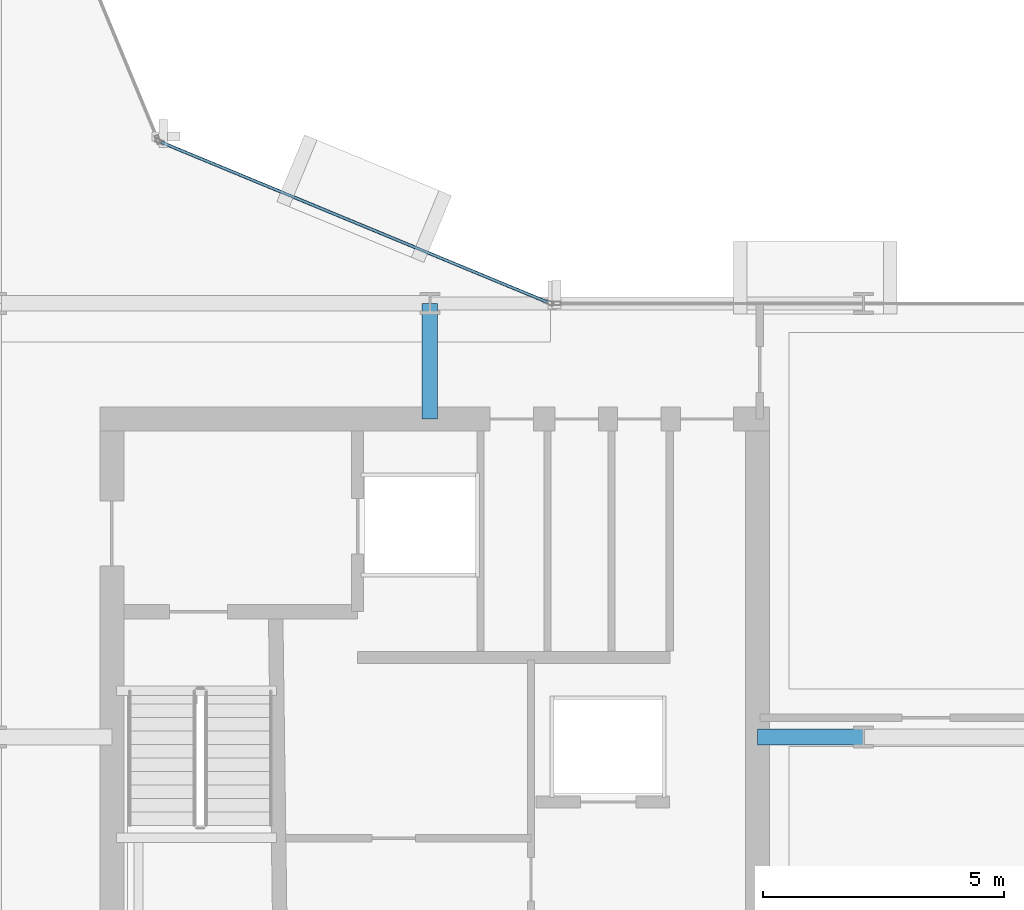
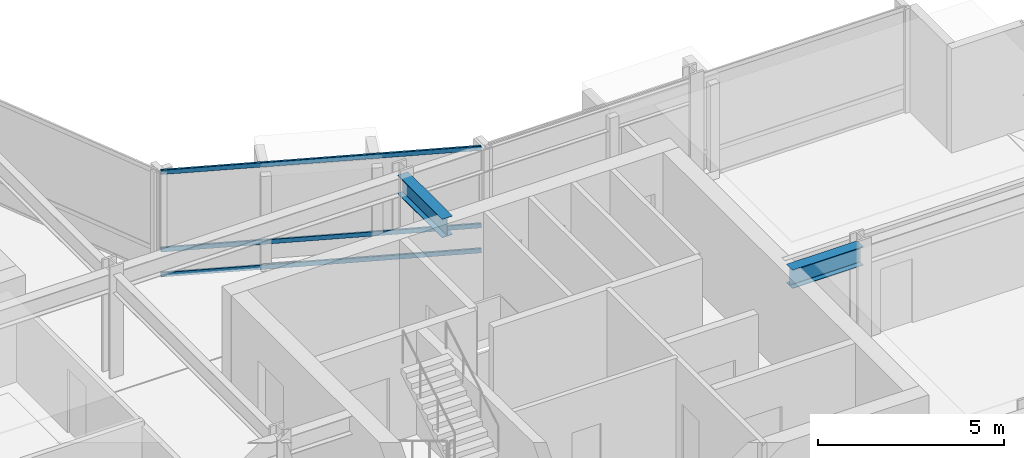
# One storey, part 12 of 28: 3 members, 2 beams, 1 element without a shape of its own.
"""IFC4 building model written with IfcOpenShell, lengths in metres."""

from ifc_helpers import new_model, si_unit, direction, frame, origin, origin_2d, place, context, subcontext, project, spatial, hollow_rectangle, i_section, extrude, material, layer, layer_set, material_profile, profile_set, type_object, element, aggregate, save


model = new_model("IFC4")

# Units and contexts
model_context = context("Model", 3, precision=1e-05, world=origin(), true_north=direction((0.0, 1.0)))
body_context = subcontext(model_context, "Body", "Model", "MODEL_VIEW")
ifc_project = project(units=[si_unit("LENGTHUNIT", "METRE"), si_unit("AREAUNIT", "SQUARE_METRE"), si_unit("VOLUMEUNIT", "CUBIC_METRE"), si_unit("PLANEANGLEUNIT", "RADIAN"), si_unit("MASSUNIT", "GRAM", prefix="KILO")], contexts=[model_context])

# Site, building, storey
site_placement = place(None, origin())
site = spatial("IfcSite", under=ifc_project, at=site_placement, CompositionType="ELEMENT")
building_placement = place(site_placement, origin())
building = spatial("IfcBuilding", under=site, at=building_placement, Name="Solvaryn Broadcast Tower", CompositionType="ELEMENT")
storey_placement = place(building_placement, frame((0.0, 0.0, 135.89990234375)))
storey = spatial("IfcBuildingStorey", under=building, at=storey_placement, Name="L33", CompositionType="ELEMENT", Elevation=135.89990234375)

# Beams
ifc_material_1 = material(Name="Steel ASTM A992 Grade 50", Category="steel")
ifc_material_profile_1 = material_profile(ifc_material_1, i_section(OverallWidth=0.323974609375, OverallDepth=0.611083984375, WebThickness=0.0126953125, FlangeThickness=0.01904296875, FilletRadius=0.014892578125, at=origin_2d()))
ifc_profile_set_1 = profile_set([ifc_material_profile_1], Name="Steel ASTM A992 Grade 50")
beam_type = type_object("IfcBeamType", Name="BM-B1-W24X104", PredefinedType="BEAM", material=ifc_profile_set_1)
beam_1_placement = place(storey_placement, frame((36.0, 24.60009765625, 3.114501953125), z_axis=(0.0, 1.0, 0.0), x_axis=(-1.0, 0.0, 0.0)))
element("IfcBeam", 1, at=beam_1_placement, inside=storey, type_object=beam_type, Name="L33 Core Tie Beam CTE2", PredefinedType="BEAM", context=body_context, shape_type="SweptSolid", body=[
    extrude(i_section(OverallWidth=0.323974609375, OverallDepth=0.611083984375, WebThickness=0.0126953125, FlangeThickness=0.01904296875, FilletRadius=0.014892578125, at=origin_2d()), origin(), (0.0, 0.0, 1.0), 2.39990234375),
])
beam_2_placement = place(storey_placement, frame((42.800048828125, 18.0, 3.114501953125), z_axis=(1.0, 0.0, 0.0), x_axis=(0.0, 1.0, 0.0)))
element("IfcBeam", 2, at=beam_2_placement, inside=storey, type_object=beam_type, Name="L33 Core Tie Beam CTE3", PredefinedType="BEAM", context=body_context, shape_type="SweptSolid", body=[
    extrude(i_section(OverallWidth=0.323974609375, OverallDepth=0.611083984375, WebThickness=0.0126953125, FlangeThickness=0.01904296875, FilletRadius=0.014892578125, at=origin_2d()), origin(), (0.0, 0.0, 1.0), 2.199951171875),
])

# Curtain wall, members
ifc_material_2 = material(Name="Aluminium and Terracotta Unitised Curtain Wall", Category="masonry")
ifc_layer = layer(ifc_material_2, 0.199951171875)
ifc_layer_set = layer_set([ifc_layer], Name="CW-SYS2-LOWMID")
curtain_wall_type = type_object("IfcCurtainWallType", Name="CW-SYS2-LOWMID", PredefinedType="NOTDEFINED", material=ifc_layer_set)
curtain_wall_placement = place(storey_placement, origin())
curtain_wall = element("IfcCurtainWall", 3, at=curtain_wall_placement, inside=storey, type_object=curtain_wall_type, Name="L33 Curtain Wall CN1", PredefinedType="NOTDEFINED")
ifc_material_3 = material(Name="Anodised Aluminium 6063-T6", Category="aluminium")
ifc_material_profile_2 = material_profile(ifc_material_3, hollow_rectangle(XDim=0.06494140625, YDim=0.14990234375, WallThickness=0.00390625, InnerFilletRadius=0.00390625, OuterFilletRadius=0.008056640625, at=origin_2d()))
ifc_profile_set_2 = profile_set([ifc_material_profile_2], Name="Anodised Aluminium 6063-T6")
member_type = type_object("IfcMemberType", Name="CW-TRN-150", PredefinedType="USERDEFINED", material=ifc_profile_set_2)
member_1_placement = place(storey_placement, frame((38.444580078125, 27.02294921875, 0.030029296875), z_axis=(-0.923899282177, 0.382635748975, 0.0), x_axis=(-0.382635748975, -0.923899282177, 0.0)))
member_1 = element("IfcMember", 4, at=member_1_placement, type_object=member_type, Name="CWS2 transom 1.1", ObjectType="TRANSOM", PredefinedType="USERDEFINED", context=body_context, shape_type="SweptSolid", body=[
    extrude(hollow_rectangle(XDim=0.06494140625, YDim=0.14990234375, WallThickness=0.00390625, InnerFilletRadius=0.00390625, OuterFilletRadius=0.008056640625, at=origin_2d()), origin(), (0.0, 0.0, 1.0), 8.681884765625),
])
member_2_placement = place(storey_placement, frame((38.444580078125, 27.02294921875, 0.85009765625), z_axis=(-0.923899282177, 0.382635748975, 0.0), x_axis=(-0.382635748975, -0.923899282177, 0.0)))
member_2 = element("IfcMember", 5, at=member_2_placement, type_object=member_type, Name="CWS2 transom 1.2", ObjectType="TRANSOM", PredefinedType="USERDEFINED", context=body_context, shape_type="SweptSolid", body=[
    extrude(hollow_rectangle(XDim=0.06494140625, YDim=0.14990234375, WallThickness=0.00390625, InnerFilletRadius=0.00390625, OuterFilletRadius=0.008056640625, at=origin_2d()), origin(), (0.0, 0.0, 1.0), 8.681884765625),
])
member_3_placement = place(storey_placement, frame((38.444580078125, 27.02294921875, 3.39013671875), z_axis=(-0.923899282177, 0.382635748975, 0.0), x_axis=(-0.382635748975, -0.923899282177, 0.0)))
member_3 = element("IfcMember", 6, at=member_3_placement, type_object=member_type, Name="CWS2 transom 1.3", ObjectType="TRANSOM", PredefinedType="USERDEFINED", context=body_context, shape_type="SweptSolid", body=[
    extrude(hollow_rectangle(XDim=0.06494140625, YDim=0.14990234375, WallThickness=0.00390625, InnerFilletRadius=0.00390625, OuterFilletRadius=0.008056640625, at=origin_2d()), origin(), (0.0, 0.0, 1.0), 8.681884765625),
])
aggregate(curtain_wall, [member_1, member_2, member_3])

save(model, "model.ifc")
